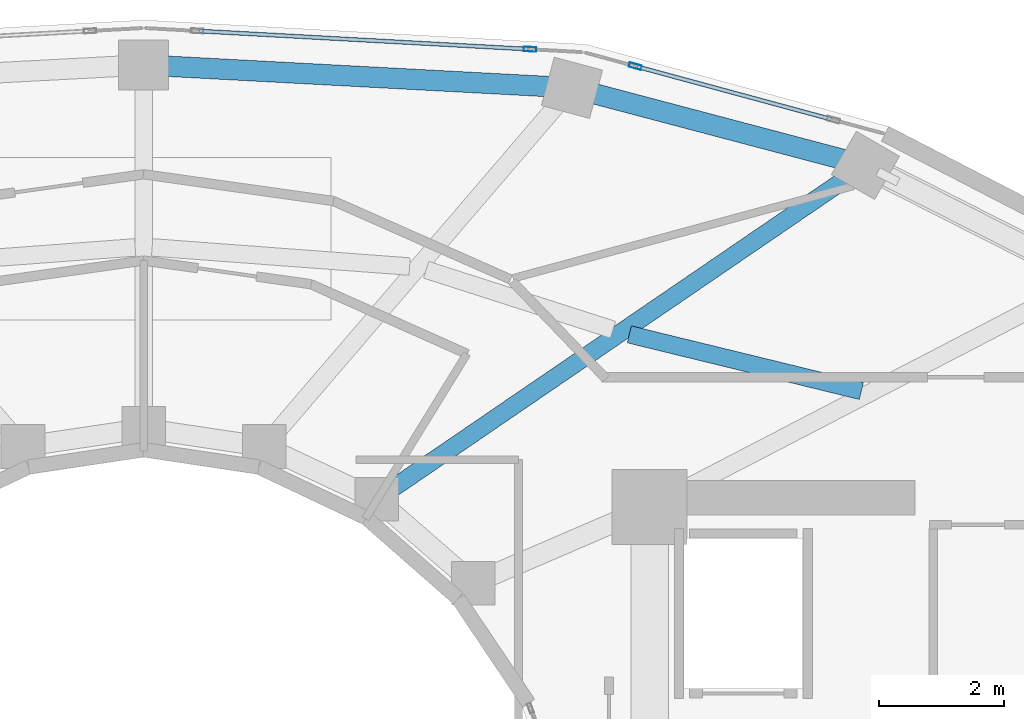
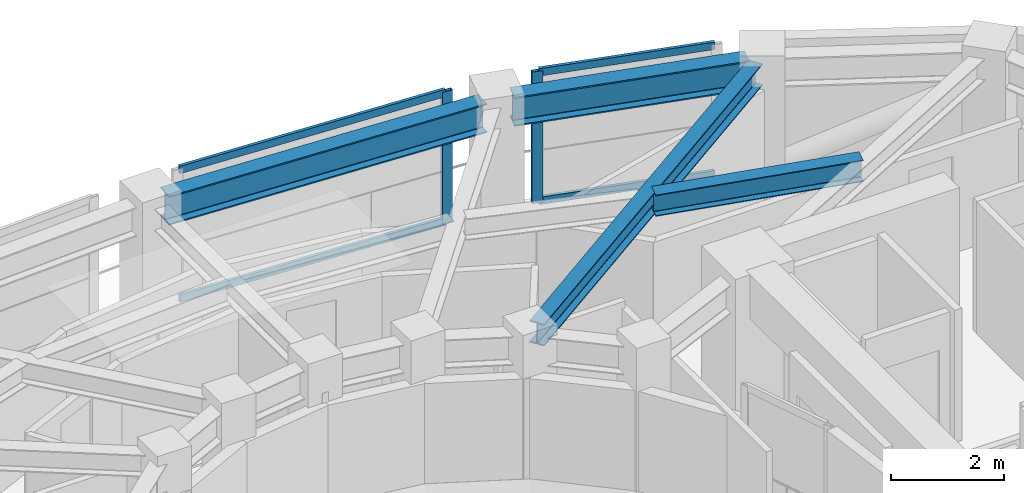
# One storey, part 9 of 19: 6 members, 4 beams, 2 elements without a shape of their own.
"""IFC4 building model written with IfcOpenShell, lengths in metres."""

from ifc_helpers import new_model, si_unit, direction, frame, origin, origin_2d, place, context, subcontext, project, spatial, hollow_rectangle, i_section, extrude, material, layer, layer_set, material_profile, profile_set, type_object, element, aggregate, save


model = new_model("IFC4")

# Units and contexts
model_context = context("Model", 3, precision=1e-05, world=origin(), true_north=direction((0.0, 1.0)))
body_context = subcontext(model_context, "Body", "Model", "MODEL_VIEW")
ifc_project = project(units=[si_unit("LENGTHUNIT", "METRE"), si_unit("AREAUNIT", "SQUARE_METRE"), si_unit("VOLUMEUNIT", "CUBIC_METRE"), si_unit("PLANEANGLEUNIT", "RADIAN"), si_unit("MASSUNIT", "GRAM", prefix="KILO")], contexts=[model_context])

# Site, building, storey
site_placement = place(None, origin())
site = spatial("IfcSite", under=ifc_project, at=site_placement, CompositionType="ELEMENT")
building_placement = place(site_placement, origin())
building = spatial("IfcBuilding", under=site, at=building_placement, Name="Solvane Sanctuary Tower", CompositionType="ELEMENT")
storey_placement = place(building_placement, frame((0.0, 0.0, 201.60009765625)))
storey = spatial("IfcBuildingStorey", under=building, at=storey_placement, Name="L61", CompositionType="ELEMENT", Elevation=201.60009765625)

# Beams
ifc_material_1 = material(Name="Steel ASTM A992 Grade 50", Category="steel")
ifc_material_profile_1 = material_profile(ifc_material_1, i_section(OverallWidth=0.282958984375, OverallDepth=0.471923828125, WebThickness=0.013671875, FlangeThickness=0.022216796875, FilletRadius=0.013916015625, at=origin_2d()), Name="W18X97")
ifc_profile_set_1 = profile_set([ifc_material_profile_1], Name="Steel ASTM A992 Grade 50")
beam_type_1 = type_object("IfcBeamType", Name="Beam B-RAD-Z4 W18X97", PredefinedType="JOIST", material=ifc_profile_set_1)
beam_1_placement = place(storey_placement, frame((35.961181640625, 30.484619140625, 2.641845703125), z_axis=(0.825707980649, 0.564097802418, 0.0), x_axis=(-0.564097802418, 0.825707980649, 0.0)))
element("IfcBeam", 1, at=beam_1_placement, inside=storey, type_object=beam_type_1, Name="L61 Radial Composite Floor Beam 02", PredefinedType="JOIST", context=body_context, shape_type="SweptSolid", body=[
    extrude(i_section(OverallWidth=0.282958984375, OverallDepth=0.471923828125, WebThickness=0.013671875, FlangeThickness=0.022216796875, FilletRadius=0.013916015625, at=origin_2d()), origin(), (0.0, 0.0, 1.0), 8.9169921875),
])
ifc_material_profile_2 = material_profile(ifc_material_1, i_section(OverallWidth=0.280029296875, OverallDepth=0.462890625, WebThickness=0.0107421875, FlangeThickness=0.017333984375, FilletRadius=0.013916015625, at=origin_2d()), Name="W18X76")
ifc_profile_set_2 = profile_set([ifc_material_profile_2], Name="Steel ASTM A992 Grade 50")
beam_type_2 = type_object("IfcBeamType", Name="Beam B-SEC-JOIST W18X76", PredefinedType="JOIST", material=ifc_profile_set_2)
beam_2_placement = place(storey_placement, frame((39.775146484375, 32.96728515625, 2.646484375), z_axis=(0.971494163165, -0.237063474489, 0.0), x_axis=(0.237063474489, 0.971494163165, 0.0)))
element("IfcBeam", 2, at=beam_2_placement, inside=storey, type_object=beam_type_2, Name="L61 Secondary Circumferential Joist 02-01", PredefinedType="JOIST", context=body_context, shape_type="SweptSolid", body=[
    extrude(i_section(OverallWidth=0.280029296875, OverallDepth=0.462890625, WebThickness=0.0107421875, FlangeThickness=0.017333984375, FilletRadius=0.013916015625, at=origin_2d()), origin(), (0.0, 0.0, 1.0), 3.82373046875),
])
ifc_material_profile_3 = material_profile(ifc_material_1, i_section(OverallWidth=0.327880859375, OverallDepth=0.6279296875, WebThickness=0.0166015625, FlangeThickness=0.027587890625, FilletRadius=0.01611328125, at=origin_2d()), Name="W24X146")
ifc_profile_set_3 = profile_set([ifc_material_profile_3], Name="Steel ASTM A992 Grade 50")
beam_type_3 = type_object("IfcBeamType", Name="Beam B-SPAND-Z3 W24X146", PredefinedType="SPANDREL", material=ifc_profile_set_3)
beam_3_placement = place(storey_placement, frame((32.279541015625, 37.26513671875, 2.56396484375), z_axis=(0.998579926022, -0.05327411516, 0.0), x_axis=(0.05327411516, 0.998579926022, 0.0)))
element("IfcBeam", 3, at=beam_3_placement, inside=storey, type_object=beam_type_3, Name="L61 Perimeter Spandrel Beam TC04-TC03", PredefinedType="SPANDREL", context=body_context, shape_type="SweptSolid", body=[
    extrude(i_section(OverallWidth=0.327880859375, OverallDepth=0.6279296875, WebThickness=0.0166015625, FlangeThickness=0.027587890625, FilletRadius=0.01611328125, at=origin_2d()), origin(), (0.0, 0.0, 1.0), 6.305908203125),
])
beam_4_placement = place(storey_placement, frame((39.126708984375, 36.8427734375, 2.56396484375), z_axis=(0.966816659466, -0.255471225343, 0.0), x_axis=(0.255471225343, 0.966816659466, 0.0)))
element("IfcBeam", 4, at=beam_4_placement, inside=storey, type_object=beam_type_3, Name="L61 Perimeter Spandrel Beam TC03-TC02", PredefinedType="SPANDREL", context=body_context, shape_type="SweptSolid", body=[
    extrude(i_section(OverallWidth=0.327880859375, OverallDepth=0.6279296875, WebThickness=0.0166015625, FlangeThickness=0.027587890625, FilletRadius=0.01611328125, at=origin_2d()), origin(), (0.0, 0.0, 1.0), 4.300537109375),
])

# Curtain wall, member
ifc_material_2 = material(Name="Anodised Aluminium 6063-T6", Category="aluminium")
ifc_layer = layer(ifc_material_2, 0.18994140625, Name="Anodised Aluminium 6063-T6")
ifc_layer_set = layer_set([ifc_layer], Name="Anodised Aluminium 6063-T6")
curtain_wall_type = type_object("IfcCurtainWallType", Name="Curtain Wall CW-OPER", PredefinedType="NOTDEFINED", material=ifc_layer_set)
curtain_wall_1_placement = place(storey_placement, origin())
curtain_wall_1 = element("IfcCurtainWall", 5, at=curtain_wall_1_placement, inside=storey, type_object=curtain_wall_type, Name="L61 CW-OPER Facade Run 04", PredefinedType="NOTDEFINED")
ifc_material_profile_4 = material_profile(ifc_material_2, hollow_rectangle(XDim=0.074951171875, YDim=0.199951171875, WallThickness=0.00390625, at=origin_2d()), Name="ALU200X75X4")
ifc_profile_set_4 = profile_set([ifc_material_profile_4], Name="Anodised Aluminium 6063-T6")
member_type_1 = type_object("IfcMemberType", Name="Member M-CW-MUL-1 ALU200X75X4", PredefinedType="MULLION", material=ifc_profile_set_4)
member_1_placement = place(storey_placement, frame((39.87060546875, 37.260498046875, 0.0), z_axis=(0.0, 0.0, 1.0), x_axis=(-0.261468027073, -0.965212137728, 0.0)))
member_1 = element("IfcMember", 6, at=member_1_placement, type_object=member_type_1, Name="CW-OPER mullion 2", PredefinedType="MULLION", context=body_context, shape_type="SweptSolid", body=[
    extrude(hollow_rectangle(XDim=0.074951171875, YDim=0.199951171875, WallThickness=0.00390625, at=origin_2d()), origin(), (0.0, 0.0, 1.0), 2.83984375),
])

curtain_wall_2_placement = place(storey_placement, origin())
curtain_wall_2 = element("IfcCurtainWall", 7, at=curtain_wall_2_placement, inside=storey, type_object=curtain_wall_type, Name="L61 CW-OPER Facade Run 05", PredefinedType="NOTDEFINED")
member_2_placement = place(storey_placement, frame((38.186767578125, 37.53173828125, 0.0), z_axis=(0.0, 0.0, 1.0), x_axis=(-0.054917553251, -0.99849089247, 0.0)))
member_2 = element("IfcMember", 8, at=member_2_placement, type_object=member_type_1, Name="CW-OPER mullion 1", PredefinedType="MULLION", context=body_context, shape_type="SweptSolid", body=[
    extrude(hollow_rectangle(XDim=0.074951171875, YDim=0.199951171875, WallThickness=0.00390625, at=origin_2d()), origin(), (0.0, 0.0, 1.0), 2.83984375),
])

# Member
ifc_material_profile_5 = material_profile(ifc_material_2, hollow_rectangle(XDim=0.06494140625, YDim=0.159912109375, WallThickness=0.00341796875, at=origin_2d()), Name="ALU160X65X3.5")
ifc_profile_set_5 = profile_set([ifc_material_profile_5], Name="Anodised Aluminium 6063-T6")
member_type_2 = type_object("IfcMemberType", Name="Member M-CW-TRN-1 ALU160X65X3.5", PredefinedType="USERDEFINED", material=ifc_profile_set_5)
member_3_placement = place(storey_placement, frame((43.006103515625, 36.4111328125, 0.032470703125), z_axis=(-0.965206383787, 0.261489266885, 0.0), x_axis=(-0.261489266885, -0.965206383787, 0.0)))
member_3 = element("IfcMember", 9, at=member_3_placement, type_object=member_type_2, Name="CW-OPER transom 1.1", ObjectType="TRANSOM", PredefinedType="USERDEFINED", context=body_context, shape_type="SweptSolid", body=[
    extrude(hollow_rectangle(XDim=0.06494140625, YDim=0.159912109375, WallThickness=0.00341796875, at=origin_2d()), origin(), (0.0, 0.0, 1.0), 3.2109375),
])

member_4_placement = place(storey_placement, frame((43.006103515625, 36.4111328125, 2.807373046875), z_axis=(-0.965206383787, 0.261489266885, 0.0), x_axis=(-0.261489266885, -0.965206383787, 0.0)))
member_4 = element("IfcMember", 10, at=member_4_placement, type_object=member_type_2, Name="CW-OPER transom 1.2", ObjectType="TRANSOM", PredefinedType="USERDEFINED", context=body_context, shape_type="SweptSolid", body=[
    extrude(hollow_rectangle(XDim=0.06494140625, YDim=0.159912109375, WallThickness=0.00341796875, at=origin_2d()), origin(), (0.0, 0.0, 1.0), 3.2109375),
])

aggregate(curtain_wall_1, [member_1, member_3, member_4])

member_5_placement = place(storey_placement, frame((38.1494140625, 37.533935546875, 0.032470703125), z_axis=(-0.998490884706, 0.054917694407, 0.0), x_axis=(-0.054917694407, -0.998490884706, 0.0)))
member_5 = element("IfcMember", 11, at=member_5_placement, type_object=member_type_2, Name="CW-OPER transom 1.1", ObjectType="TRANSOM", PredefinedType="USERDEFINED", context=body_context, shape_type="SweptSolid", body=[
    extrude(hollow_rectangle(XDim=0.06494140625, YDim=0.159912109375, WallThickness=0.00341796875, at=origin_2d()), origin(), (0.0, 0.0, 1.0), 5.263671875),
])

member_6_placement = place(storey_placement, frame((38.1494140625, 37.533935546875, 2.807373046875), z_axis=(-0.998490884706, 0.054917694407, 0.0), x_axis=(-0.054917694407, -0.998490884706, 0.0)))
member_6 = element("IfcMember", 12, at=member_6_placement, type_object=member_type_2, Name="CW-OPER transom 1.2", ObjectType="TRANSOM", PredefinedType="USERDEFINED", context=body_context, shape_type="SweptSolid", body=[
    extrude(hollow_rectangle(XDim=0.06494140625, YDim=0.159912109375, WallThickness=0.00341796875, at=origin_2d()), origin(), (0.0, 0.0, 1.0), 5.263671875),
])

aggregate(curtain_wall_2, [member_2, member_5, member_6])

save(model, "model.ifc")
